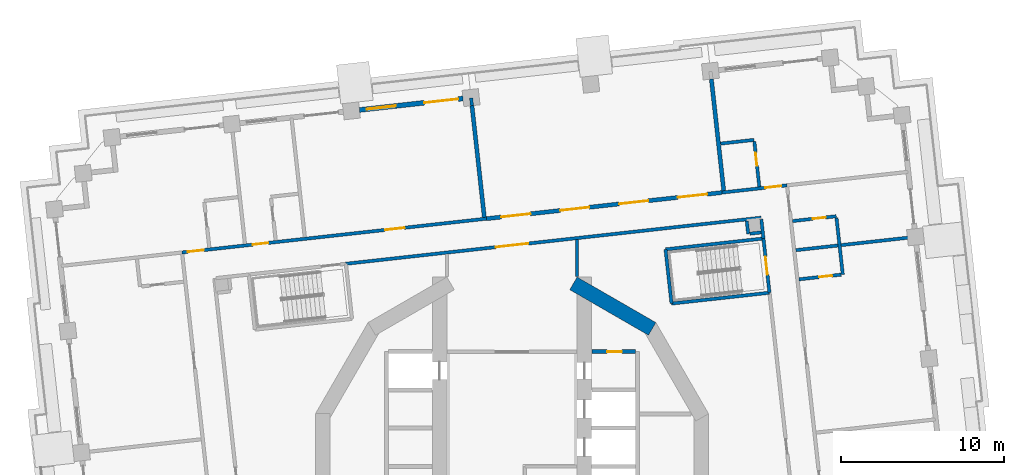
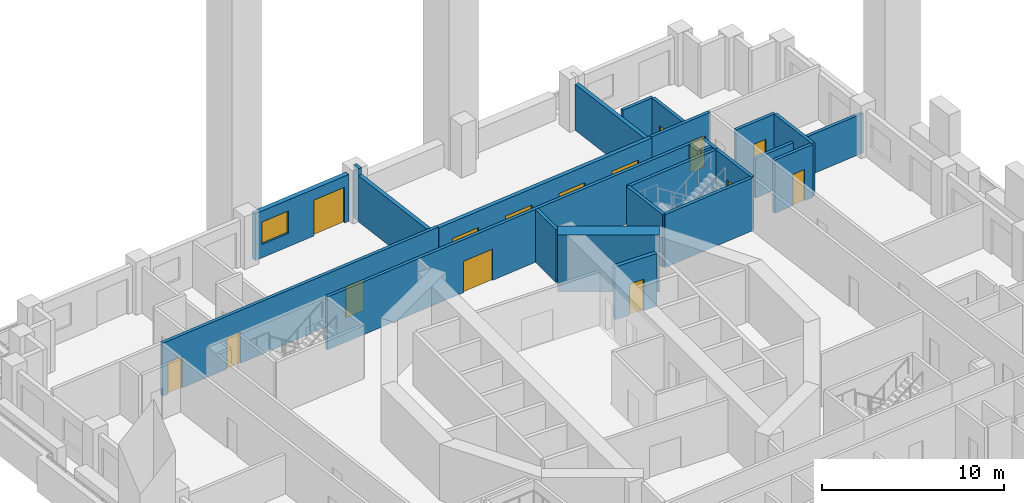
# One storey, part 8 of 20: 24 walls, 15 doors, 1 window, 16 openings.
"""IFC4 building model written with IfcOpenShell, lengths in metres."""

from ifc_helpers import new_model, si_unit, direction, frame, frame_2d, origin, place, context, subcontext, project, spatial, rectangle, extrude, material, layer, layer_set, type_object, element, fill, save


model = new_model("IFC4")

# Units and contexts
model_context = context("Model", 3, precision=1e-05, world=origin(), true_north=direction((0.0, 1.0)))
body_context = subcontext(model_context, "Body", "Model", "MODEL_VIEW")
ifc_project = project(units=[si_unit("LENGTHUNIT", "METRE"), si_unit("AREAUNIT", "SQUARE_METRE"), si_unit("VOLUMEUNIT", "CUBIC_METRE"), si_unit("PLANEANGLEUNIT", "RADIAN"), si_unit("MASSUNIT", "GRAM", prefix="KILO")], contexts=[model_context])

# Site, building, storey
site_placement = place(None, origin())
site = spatial("IfcSite", under=ifc_project, at=site_placement, CompositionType="ELEMENT")
building_placement = place(site_placement, origin())
building = spatial("IfcBuilding", under=site, at=building_placement, Name="Cantera Rosa Tower", CompositionType="ELEMENT")
storey_placement = place(building_placement, frame((0.0, 0.0, 42.5)))
storey = spatial("IfcBuildingStorey", under=building, at=storey_placement, Name="L07", CompositionType="ELEMENT", Elevation=42.5)

# Wall
ifc_material_1 = material(Name="Gypsum board partition")
ifc_layer_1 = layer(ifc_material_1, 0.199951171875)
ifc_layer_set_1 = layer_set([ifc_layer_1], Name="CORRIDOR WALL 200 H3550")
wall_type_1 = type_object("IfcWallType", Name="CORRIDOR WALL 200 H3550", PredefinedType="PARTITIONING", material=ifc_layer_set_1)
wall_1_placement = place(storey_placement, frame((4.0, 11.667236328125, 0.0), z_axis=(0.0, 0.0, 1.0), x_axis=(0.0, 1.0, 0.0)))
element("IfcWall", 1, at=wall_1_placement, inside=storey, type_object=wall_type_1, Name="CORRIDOR WALL L07-064", PredefinedType="PARTITIONING", context=body_context, shape_type="SweptSolid", body=[
    extrude(rectangle(XDim=2.259765625, YDim=0.199951171875, at=frame_2d((1.1298828125, 0.0))), origin(), (0.0, 0.0, 1.0), 3.550048828125),
])

# Wall, opening, door
wall_2_placement = place(storey_placement, frame((15.3076171875, 15.281982421875, 0.0), z_axis=(0.0, 0.0, 1.0), x_axis=(-0.993896137152, -0.110319846599, 0.0)))
wall_2 = element("IfcWall", 2, at=wall_2_placement, inside=storey, type_object=wall_type_1, Name="CORRIDOR WALL L07-087", PredefinedType="PARTITIONING", context=body_context, shape_type="SweptSolid", body=[
    extrude(rectangle(XDim=25.67333984375, YDim=0.199951171875, at=frame_2d((12.836669921875, 0.0))), origin(), (0.0, 0.0, 1.0), 3.550048828125),
])
opening_1_placement = place(wall_2_placement, frame((14.401611328125, 0.0, 0.0)))
opening_1 = element("IfcOpeningElement", 3, at=opening_1_placement, cuts=wall_2, Name="Opening L07-010", PredefinedType="OPENING", context=body_context, shape_type="SweptSolid", body=[
    extrude(rectangle(XDim=2.0, YDim=2.10009765625, at=frame_2d((1.0, 1.050048828125))), frame((0.0, 0.10986328125, 0.0), z_axis=(0.0, -1.0, 0.0), x_axis=(1.0, 0.0, 0.0)), (0.0, 0.0, 1.0), 0.219970703125),
])
ifc_material_2 = material(Name="Steel S355J2 (EN 10025-2)", Category="steel")
door_type_1 = type_object("IfcDoorType", Name="LOBBY SCREEN DOOR 2000x2100", OperationType="NOTDEFINED", PredefinedType="DOOR", material=ifc_material_2)
door_1_placement = place(opening_1_placement, origin())
door_1 = element("IfcDoor", 4, at=door_1_placement, inside=storey, type_object=door_type_1, Name="DOOR L07-010", OperationType="NOTDEFINED", OverallHeight=2.10009765625, OverallWidth=2.0, PredefinedType="DOOR", context=body_context, shape_type="SweptSolid", body=[
    extrude(rectangle(XDim=2.0, YDim=2.10009765625, at=frame_2d((1.0, 1.050048828125))), frame((0.0, 0.02490234375, 0.0), z_axis=(0.0, -1.0, 0.0), x_axis=(1.0, 0.0, 0.0)), (0.0, 0.0, 1.0), 0.050048828125),
])
fill(opening_1, door_1)

# Wall
wall_3_placement = place(storey_placement, frame((15.44970703125, 14.001708984375, 0.0), z_axis=(0.0, 0.0, 1.0), x_axis=(-0.110341316069, 0.993893753863, 0.0)))
element("IfcWall", 5, at=wall_3_placement, inside=storey, type_object=wall_type_1, Name="CORRIDOR WALL L07-091", PredefinedType="PARTITIONING", context=body_context, shape_type="SweptSolid", body=[
    extrude(rectangle(XDim=1.188232421875, YDim=0.199951171875, at=frame_2d((0.59423828125, 0.0))), origin(), (0.0, 0.0, 1.0), 3.550048828125),
])

# Wall, opening, door
wall_4_placement = place(storey_placement, frame((16.898193359375, 17.26953125, 0.0), z_axis=(0.0, 0.0, 1.0), x_axis=(-0.993894825106, -0.110331666476, 0.0)))
wall_4 = element("IfcWall", 6, at=wall_4_placement, inside=storey, type_object=wall_type_1, Name="CORRIDOR WALL L07-095", PredefinedType="PARTITIONING", context=body_context, shape_type="SweptSolid", body=[
    extrude(rectangle(XDim=4.025146484375, YDim=0.199951171875, at=frame_2d((2.0126953125, 0.0))), origin(), (0.0, 0.0, 1.0), 3.550048828125),
])
opening_2_placement = place(wall_4_placement, frame((0.35009765625, 0.0, 0.0)))
opening_2 = element("IfcOpeningElement", 7, at=opening_2_placement, cuts=wall_4, Name="Opening L07-028", PredefinedType="OPENING", context=body_context, shape_type="SweptSolid", body=[
    extrude(rectangle(XDim=1.0, YDim=2.10009765625, at=frame_2d((0.5, 1.050048828125))), frame((0.0, 0.10986328125, 0.0), z_axis=(0.0, -1.0, 0.0), x_axis=(1.0, 0.0, 0.0)), (0.0, 0.0, 1.0), 0.219970703125),
])
ifc_material_3 = material(Name="Timber door leaf", Category="wood")
door_type_2 = type_object("IfcDoorType", Name="ENTRANCE DOOR 1000x2100", OperationType="NOTDEFINED", PredefinedType="DOOR", material=ifc_material_3)
door_2_placement = place(opening_2_placement, origin())
door_2 = element("IfcDoor", 8, at=door_2_placement, inside=storey, type_object=door_type_2, Name="DOOR L07-028", OperationType="NOTDEFINED", OverallHeight=2.10009765625, OverallWidth=1.0, PredefinedType="DOOR", context=body_context, shape_type="SweptSolid", body=[
    extrude(rectangle(XDim=1.0, YDim=2.10009765625, at=frame_2d((0.5, 1.050048828125))), frame((0.0, 0.02490234375, 0.0), z_axis=(0.0, -1.0, 0.0), x_axis=(1.0, 0.0, 0.0)), (0.0, 0.0, 1.0), 0.050048828125),
])
fill(opening_2, door_2)

# Wall, openings, doors
wall_5_placement = place(storey_placement, frame((-1.5634765625, 15.220458984375, 0.0), z_axis=(0.0, 0.0, 1.0), x_axis=(-0.993896854699, -0.110313381866, 0.0)))
wall_5 = element("IfcWall", 9, at=wall_5_placement, inside=storey, type_object=wall_type_1, Name="CORRIDOR WALL L07-096", PredefinedType="PARTITIONING", context=body_context, shape_type="SweptSolid", body=[
    extrude(rectangle(XDim=18.8251953125, YDim=0.199951171875, at=frame_2d((9.41259765625, 0.0))), origin(), (0.0, 0.0, 1.0), 3.550048828125),
])
opening_3_placement = place(wall_5_placement, frame((5.074951171875, 0.0, 0.0)))
opening_3 = element("IfcOpeningElement", 10, at=opening_3_placement, cuts=wall_5, Name="Opening L07-025", PredefinedType="OPENING", context=body_context, shape_type="SweptSolid", body=[
    extrude(rectangle(XDim=1.199951171875, YDim=2.10009765625, at=frame_2d((0.60009765625, 1.050048828125))), frame((0.0, 0.10986328125, 0.0), z_axis=(0.0, -1.0, 0.0), x_axis=(1.0, 0.0, 0.0)), (0.0, 0.0, 1.0), 0.219970703125),
])
opening_4_placement = place(wall_5_placement, frame((13.5, 0.0, 0.0)))
opening_4 = element("IfcOpeningElement", 11, at=opening_4_placement, cuts=wall_5, Name="Opening L07-026", PredefinedType="OPENING", context=body_context, shape_type="SweptSolid", body=[
    extrude(rectangle(XDim=0.949951171875, YDim=2.10009765625, at=frame_2d((0.47509765625, 1.050048828125))), frame((0.0, 0.10986328125, 0.0), z_axis=(0.0, -1.0, 0.0), x_axis=(1.0, 0.0, 0.0)), (0.0, 0.0, 1.0), 0.219970703125),
])
opening_5_placement = place(wall_5_placement, frame((17.47509765625, 0.0, 0.0)))
opening_5 = element("IfcOpeningElement", 12, at=opening_5_placement, cuts=wall_5, Name="Opening L07-030", PredefinedType="OPENING", context=body_context, shape_type="SweptSolid", body=[
    extrude(rectangle(XDim=1.0, YDim=2.10009765625, at=frame_2d((0.5, 1.050048828125))), frame((0.0, 0.10986328125, 0.0), z_axis=(0.0, -1.0, 0.0), x_axis=(1.0, 0.0, 0.0)), (0.0, 0.0, 1.0), 0.219970703125),
])
door_3_placement = place(opening_5_placement, origin())
door_3 = element("IfcDoor", 13, at=door_3_placement, inside=storey, type_object=door_type_2, Name="DOOR L07-030", OperationType="NOTDEFINED", OverallHeight=2.10009765625, OverallWidth=1.0, PredefinedType="DOOR", context=body_context, shape_type="SweptSolid", body=[
    extrude(rectangle(XDim=1.0, YDim=2.10009765625, at=frame_2d((0.5, 1.050048828125))), frame((0.0, 0.02490234375, 0.0), z_axis=(0.0, -1.0, 0.0), x_axis=(1.0, 0.0, 0.0)), (0.0, 0.0, 1.0), 0.050048828125),
])
fill(opening_5, door_3)
ifc_material_4 = material(Name="Timber door leaf", Category="wood")
door_type_3 = type_object("IfcDoorType", Name="ROOM DOOR 1200x2100", OperationType="NOTDEFINED", PredefinedType="DOOR", material=ifc_material_4)
door_4_placement = place(opening_3_placement, origin())
door_4 = element("IfcDoor", 14, at=door_4_placement, inside=storey, type_object=door_type_3, Name="DOOR L07-025", OperationType="NOTDEFINED", OverallHeight=2.10009765625, OverallWidth=1.199951171875, PredefinedType="DOOR", context=body_context, shape_type="SweptSolid", body=[
    extrude(rectangle(XDim=1.199951171875, YDim=2.10009765625, at=frame_2d((0.60009765625, 1.050048828125))), frame((0.0, 0.02490234375, 0.0), z_axis=(0.0, -1.0, 0.0), x_axis=(1.0, 0.0, 0.0)), (0.0, 0.0, 1.0), 0.050048828125),
])
fill(opening_3, door_4)
ifc_material_5 = material(Name="Timber door leaf", Category="wood")
door_type_4 = type_object("IfcDoorType", Name="ROOM DOOR 950x2100", OperationType="NOTDEFINED", PredefinedType="DOOR", material=ifc_material_5)
door_5_placement = place(opening_4_placement, origin())
door_5 = element("IfcDoor", 15, at=door_5_placement, inside=storey, type_object=door_type_4, Name="DOOR L07-026", OperationType="NOTDEFINED", OverallHeight=2.10009765625, OverallWidth=0.949951171875, PredefinedType="DOOR", context=body_context, shape_type="SweptSolid", body=[
    extrude(rectangle(XDim=0.949951171875, YDim=2.10009765625, at=frame_2d((0.47509765625, 1.050048828125))), frame((0.0, 0.02490234375, 0.0), z_axis=(0.0, -1.0, 0.0), x_axis=(1.0, 0.0, 0.0)), (0.0, 0.0, 1.0), 0.050048828125),
])
fill(opening_4, door_5)

# Wall, openings, window, door
ifc_material_6 = material(Name="Hollow clay masonry with cantera stone cladding", Category="masonry")
ifc_layer_2 = layer(ifc_material_6, 0.300048828125)
ifc_layer_set_2 = layer_set([ifc_layer_2], Name="EW-LOGGIA 300 H3140")
wall_type_2 = type_object("IfcWallType", Name="EW-LOGGIA 300 H3140", PredefinedType="SOLIDWALL", material=ifc_layer_set_2)
wall_6_placement = place(storey_placement, frame((-3.011962890625, 22.605712890625, 0.0), z_axis=(0.0, 0.0, 1.0), x_axis=(-0.993896288542, -0.110318482689, 0.0)))
wall_6 = element("IfcWall", 16, at=wall_6_placement, inside=storey, type_object=wall_type_2, Name="EN-L07-W11", PredefinedType="SOLIDWALL", context=body_context, shape_type="SweptSolid", body=[
    extrude(rectangle(XDim=6.400146484375, YDim=0.300048828125, at=frame_2d((3.2001953125, 0.0))), origin(), (0.0, 0.0, 1.0), 3.139892578125),
])
opening_6_placement = place(wall_6_placement, frame((0.300048828125, 0.0, 0.0)))
opening_6 = element("IfcOpeningElement", 17, at=opening_6_placement, cuts=wall_6, Name="Opening L07-TD13", PredefinedType="OPENING", context=body_context, shape_type="SweptSolid", body=[
    extrude(rectangle(XDim=2.10009765625, YDim=2.39990234375, at=frame_2d((1.050048828125, 1.199951171875))), frame((0.0, 0.159912109375, 0.0), z_axis=(0.0, -1.0, 0.0), x_axis=(1.0, 0.0, 0.0)), (0.0, 0.0, 1.0), 0.320068359375),
])
opening_7_placement = place(wall_6_placement, frame((4.14990234375, 0.0, 0.89990234375)))
opening_7 = element("IfcOpeningElement", 18, at=opening_7_placement, cuts=wall_6, Name="Opening L07-W14", PredefinedType="OPENING", context=body_context, shape_type="SweptSolid", body=[
    extrude(rectangle(XDim=1.800048828125, YDim=1.5, at=frame_2d((0.89990234375, 0.75))), frame((0.0, 0.159912109375, 0.0), z_axis=(0.0, -1.0, 0.0), x_axis=(1.0, 0.0, 0.0)), (0.0, 0.0, 1.0), 0.320068359375),
])
ifc_material_7 = material(Name="Aluminium frame with clear glass", Category="aluminium")
window_type = type_object("IfcWindowType", Name="Hotel room window 1800x1500", PartitioningType="DOUBLE_PANEL_VERTICAL", PredefinedType="WINDOW", material=ifc_material_7)
window_placement = place(opening_7_placement, origin())
window = element("IfcWindow", 19, at=window_placement, inside=storey, type_object=window_type, Name="WINDOW L07-W14", OverallHeight=1.5, OverallWidth=1.800048828125, PartitioningType="SINGLE_PANEL", PredefinedType="WINDOW", context=body_context, shape_type="SweptSolid", body=[
    extrude(rectangle(XDim=1.800048828125, YDim=1.5, at=frame_2d((0.89990234375, 0.75))), frame((0.0, 0.030029296875, 0.0), z_axis=(0.0, -1.0, 0.0), x_axis=(1.0, 0.0, 0.0)), (0.0, 0.0, 1.0), 0.06005859375),
])
fill(opening_7, window)
ifc_material_8 = material(Name="Aluminium frame with clear glass", Category="aluminium")
door_type_5 = type_object("IfcDoorType", Name="TD-H 2100x2400", OperationType="NOTDEFINED", PredefinedType="DOOR", material=ifc_material_8)
door_6_placement = place(opening_6_placement, origin())
door_6 = element("IfcDoor", 20, at=door_6_placement, inside=storey, type_object=door_type_5, Name="LOGGIA DOOR L07-TD13", OperationType="SLIDING_TO_LEFT", OverallHeight=2.39990234375, OverallWidth=2.10009765625, PredefinedType="DOOR", context=body_context, shape_type="SweptSolid", body=[
    extrude(rectangle(XDim=2.10009765625, YDim=2.39990234375, at=frame_2d((1.050048828125, 1.199951171875))), frame((0.0, 0.02490234375, 0.0), z_axis=(0.0, -1.0, 0.0), x_axis=(1.0, 0.0, 0.0)), (0.0, 0.0, 1.0), 0.050048828125),
])
fill(opening_6, door_6)

# Walls
ifc_material_9 = material(Name="Concrete C40/50", Category="concrete")
ifc_layer_3 = layer(ifc_material_9, 0.25)
ifc_layer_set_3 = layer_set([ifc_layer_3], Name="EW-POCKET CHEEK 250 H3090")
wall_type_3 = type_object("IfcWallType", Name="EW-POCKET CHEEK 250 H3090", PredefinedType="SOLIDWALL", material=ifc_layer_set_3)
wall_7_placement = place(storey_placement, frame((12.249755859375, 23.796630859375, 0.0), z_axis=(0.0, 0.0, 1.0), x_axis=(0.11028783669, -0.993899689646, 0.0)))
element("IfcWall", 21, at=wall_7_placement, inside=storey, type_object=wall_type_3, Name="POCKET CHEEK A L07", PredefinedType="SOLIDWALL", context=body_context, shape_type="SweptSolid", body=[
    extrude(rectangle(XDim=6.89990234375, YDim=0.25, at=frame_2d((3.449951171875, 0.0))), origin(), (0.0, 0.0, 1.0), 3.090087890625),
])
wall_8_placement = place(storey_placement, frame((-2.4599609375, 22.163818359375, 0.0), z_axis=(0.0, 0.0, 1.0), x_axis=(0.110322788799, -0.993895810572, 0.0)))
element("IfcWall", 22, at=wall_8_placement, inside=storey, type_object=wall_type_3, Name="POCKET CHEEK B L07", PredefinedType="SOLIDWALL", context=body_context, shape_type="SweptSolid", body=[
    extrude(rectangle(XDim=6.900146484375, YDim=0.25, at=frame_2d((3.4501953125, 0.0))), origin(), (0.0, 0.0, 1.0), 3.090087890625),
])

# Wall, openings, doors
ifc_material_10 = material(Name="Hollow clay masonry with cantera stone cladding", Category="masonry")
ifc_layer_4 = layer(ifc_material_10, 0.25)
ifc_layer_set_4 = layer_set([ifc_layer_4], Name="EW-POCKET REAR 250")
wall_type_4 = type_object("IfcWallType", Name="EW-POCKET REAR 250", PredefinedType="SOLIDWALL", material=ifc_layer_set_4)
wall_9_placement = place(storey_placement, frame((12.897705078125, 16.825439453125, 0.0), z_axis=(0.0, 0.0, 1.0), x_axis=(-0.993897437056, -0.110308134844, 0.0)))
wall_9 = element("IfcWall", 23, at=wall_9_placement, inside=storey, type_object=wall_type_4, Name="POCKET REAR L07", PredefinedType="SOLIDWALL", context=body_context, shape_type="SweptSolid", body=[
    extrude(rectangle(XDim=14.550048828125, YDim=0.25, at=frame_2d((7.27490234375, 0.0))), origin(), (0.0, 0.0, 1.0), 3.5),
])
opening_8_placement = place(wall_9_placement, frame((0.918701171875, 0.0, 0.0)))
opening_8 = element("IfcOpeningElement", 24, at=opening_8_placement, cuts=wall_9, Name="Opening L07-LT01", PredefinedType="OPENING", context=body_context, shape_type="SweptSolid", body=[
    extrude(rectangle(XDim=1.800048828125, YDim=2.39990234375, at=frame_2d((0.89990234375, 1.199951171875))), frame((0.0, 0.135009765625, 0.0), z_axis=(0.0, -1.0, 0.0), x_axis=(1.0, 0.0, 0.0)), (0.0, 0.0, 1.0), 0.27001953125),
])
opening_9_placement = place(wall_9_placement, frame((4.55615234375, 0.0, 0.0)))
opening_9 = element("IfcOpeningElement", 25, at=opening_9_placement, cuts=wall_9, Name="Opening L07-LT02", PredefinedType="OPENING", context=body_context, shape_type="SweptSolid", body=[
    extrude(rectangle(XDim=1.800048828125, YDim=2.39990234375, at=frame_2d((0.89990234375, 1.199951171875))), frame((0.0, 0.135009765625, 0.0), z_axis=(0.0, -1.0, 0.0), x_axis=(1.0, 0.0, 0.0)), (0.0, 0.0, 1.0), 0.27001953125),
])
opening_10_placement = place(wall_9_placement, frame((8.19384765625, 0.0, 0.0)))
opening_10 = element("IfcOpeningElement", 26, at=opening_10_placement, cuts=wall_9, Name="Opening L07-LT03", PredefinedType="OPENING", context=body_context, shape_type="SweptSolid", body=[
    extrude(rectangle(XDim=1.800048828125, YDim=2.39990234375, at=frame_2d((0.89990234375, 1.199951171875))), frame((0.0, 0.135009765625, 0.0), z_axis=(0.0, -1.0, 0.0), x_axis=(1.0, 0.0, 0.0)), (0.0, 0.0, 1.0), 0.27001953125),
])
opening_11_placement = place(wall_9_placement, frame((11.831298828125, 0.0, 0.0)))
opening_11 = element("IfcOpeningElement", 27, at=opening_11_placement, cuts=wall_9, Name="Opening L07-LT04", PredefinedType="OPENING", context=body_context, shape_type="SweptSolid", body=[
    extrude(rectangle(XDim=1.800048828125, YDim=2.39990234375, at=frame_2d((0.89990234375, 1.199951171875))), frame((0.0, 0.135009765625, 0.0), z_axis=(0.0, -1.0, 0.0), x_axis=(1.0, 0.0, 0.0)), (0.0, 0.0, 1.0), 0.27001953125),
])
ifc_material_11 = material(Name="Aluminium frame with clear glass", Category="aluminium")
door_type_6 = type_object("IfcDoorType", Name="TD-T 1800x2400", OperationType="NOTDEFINED", PredefinedType="DOOR", material=ifc_material_11)
door_7_placement = place(opening_8_placement, origin())
door_7 = element("IfcDoor", 28, at=door_7_placement, inside=storey, type_object=door_type_6, Name="TERRACE DOOR L07-LT01", OperationType="DOUBLE_DOOR_SINGLE_SWING", OverallHeight=2.39990234375, OverallWidth=1.800048828125, PredefinedType="DOOR", context=body_context, shape_type="SweptSolid", body=[
    extrude(rectangle(XDim=1.800048828125, YDim=2.39990234375, at=frame_2d((0.89990234375, 1.199951171875))), frame((0.0, 0.02490234375, 0.0), z_axis=(0.0, -1.0, 0.0), x_axis=(1.0, 0.0, 0.0)), (0.0, 0.0, 1.0), 0.050048828125),
])
fill(opening_8, door_7)
door_8_placement = place(opening_9_placement, origin())
door_8 = element("IfcDoor", 29, at=door_8_placement, inside=storey, type_object=door_type_6, Name="TERRACE DOOR L07-LT02", OperationType="DOUBLE_DOOR_SINGLE_SWING", OverallHeight=2.39990234375, OverallWidth=1.800048828125, PredefinedType="DOOR", context=body_context, shape_type="SweptSolid", body=[
    extrude(rectangle(XDim=1.800048828125, YDim=2.39990234375, at=frame_2d((0.89990234375, 1.199951171875))), frame((0.0, 0.02490234375, 0.0), z_axis=(0.0, -1.0, 0.0), x_axis=(1.0, 0.0, 0.0)), (0.0, 0.0, 1.0), 0.050048828125),
])
fill(opening_9, door_8)
door_9_placement = place(opening_10_placement, origin())
door_9 = element("IfcDoor", 30, at=door_9_placement, inside=storey, type_object=door_type_6, Name="TERRACE DOOR L07-LT03", OperationType="DOUBLE_DOOR_SINGLE_SWING", OverallHeight=2.39990234375, OverallWidth=1.800048828125, PredefinedType="DOOR", context=body_context, shape_type="SweptSolid", body=[
    extrude(rectangle(XDim=1.800048828125, YDim=2.39990234375, at=frame_2d((0.89990234375, 1.199951171875))), frame((0.0, 0.02490234375, 0.0), z_axis=(0.0, -1.0, 0.0), x_axis=(1.0, 0.0, 0.0)), (0.0, 0.0, 1.0), 0.050048828125),
])
fill(opening_10, door_9)
door_10_placement = place(opening_11_placement, origin())
door_10 = element("IfcDoor", 31, at=door_10_placement, inside=storey, type_object=door_type_6, Name="TERRACE DOOR L07-LT04", OperationType="DOUBLE_DOOR_SINGLE_SWING", OverallHeight=2.39990234375, OverallWidth=1.800048828125, PredefinedType="DOOR", context=body_context, shape_type="SweptSolid", body=[
    extrude(rectangle(XDim=1.800048828125, YDim=2.39990234375, at=frame_2d((0.89990234375, 1.199951171875))), frame((0.0, 0.02490234375, 0.0), z_axis=(0.0, -1.0, 0.0), x_axis=(1.0, 0.0, 0.0)), (0.0, 0.0, 1.0), 0.050048828125),
])
fill(opening_11, door_10)

# Walls
ifc_material_12 = material(Name="Gypsum board partition")
ifc_layer_5 = layer(ifc_material_12, 0.199951171875)
ifc_layer_set_5 = layer_set([ifc_layer_5], Name="PARTITION 200 H3550")
wall_type_5 = type_object("IfcWallType", Name="PARTITION 200 H3550", PredefinedType="PARTITIONING", material=ifc_layer_set_5)
wall_10_placement = place(storey_placement, frame((-2.51171875, 22.631103515625, 0.0), z_axis=(0.0, 0.0, 1.0), x_axis=(0.110089547864, -0.993921672694, 0.0)))
element("IfcWall", 32, at=wall_10_placement, inside=storey, type_object=wall_type_5, Name="PARTITION L07-055", PredefinedType="PARTITIONING", context=body_context, shape_type="SweptSolid", body=[
    extrude(rectangle(XDim=0.47021484375, YDim=0.199951171875, at=frame_2d((0.235107421875, 0.0))), origin(), (0.0, 0.0, 1.0), 3.550048828125),
])
wall_11_placement = place(storey_placement, frame((12.8251953125, 19.835693359375, 0.0), z_axis=(0.0, 0.0, 1.0), x_axis=(0.993883734674, 0.110431526075, 0.0)))
element("IfcWall", 33, at=wall_11_placement, inside=storey, type_object=wall_type_5, Name="PARTITION L07-080", PredefinedType="PARTITIONING", context=body_context, shape_type="SweptSolid", body=[
    extrude(rectangle(XDim=2.06494140625, YDim=0.199951171875, at=frame_2d((1.032470703125, 0.0))), origin(), (0.0, 0.0, 1.0), 3.550048828125),
])
wall_12_placement = place(storey_placement, frame((14.42431640625, 15.083251953125, 0.0), z_axis=(0.0, 0.0, 1.0), x_axis=(0.110163574714, -0.993913470482, 0.0)))
element("IfcWall", 34, at=wall_12_placement, inside=storey, type_object=wall_type_5, Name="PARTITION L07-082", PredefinedType="PARTITIONING", context=body_context, shape_type="SweptSolid", body=[
    extrude(rectangle(XDim=0.800048828125, YDim=0.199951171875, at=frame_2d((0.39990234375, 0.0))), origin(), (0.0, 0.0, 1.0), 3.550048828125),
])
wall_13_placement = place(storey_placement, frame((14.61181640625, 14.299072265625, 0.0), z_axis=(0.0, 0.0, 1.0), x_axis=(0.993870969748, 0.110546349969, 0.0)))
element("IfcWall", 35, at=wall_13_placement, inside=storey, type_object=wall_type_5, Name="PARTITION L07-083", PredefinedType="PARTITIONING", context=body_context, shape_type="SweptSolid", body=[
    extrude(rectangle(XDim=0.7001953125, YDim=0.199951171875, at=frame_2d((0.35009765625, 0.0))), origin(), (0.0, 0.0, 1.0), 3.550048828125),
])

# Wall, opening, door
wall_14_placement = place(storey_placement, frame((14.888671875, 19.964111328125, 0.0), z_axis=(0.0, 0.0, 1.0), x_axis=(0.110307106705, -0.993897551164, 0.0)))
wall_14 = element("IfcWall", 36, at=wall_14_placement, inside=storey, type_object=wall_type_5, Name="PARTITION L07-084", PredefinedType="PARTITIONING", context=body_context, shape_type="SweptSolid", body=[
    extrude(rectangle(XDim=2.7998046875, YDim=0.199951171875, at=frame_2d((1.39990234375, 0.0))), origin(), (0.0, 0.0, 1.0), 3.550048828125),
])
opening_12_placement = place(wall_14_placement, frame((0.699951171875, 0.0, 0.0)))
opening_12 = element("IfcOpeningElement", 37, at=opening_12_placement, cuts=wall_14, Name="Opening L07-029", PredefinedType="OPENING", context=body_context, shape_type="SweptSolid", body=[
    extrude(rectangle(XDim=0.800048828125, YDim=2.10009765625, at=frame_2d((0.39990234375, 1.050048828125))), frame((0.0, 0.10986328125, 0.0), z_axis=(0.0, -1.0, 0.0), x_axis=(1.0, 0.0, 0.0)), (0.0, 0.0, 1.0), 0.219970703125),
])
ifc_material_13 = material(Name="Timber door leaf", Category="wood")
door_type_7 = type_object("IfcDoorType", Name="BATHROOM DOOR 800x2100", OperationType="NOTDEFINED", PredefinedType="DOOR", material=ifc_material_13)
door_11_placement = place(opening_12_placement, origin())
door_11 = element("IfcDoor", 38, at=door_11_placement, inside=storey, type_object=door_type_7, Name="DOOR L07-029", OperationType="NOTDEFINED", OverallHeight=2.10009765625, OverallWidth=0.800048828125, PredefinedType="DOOR", context=body_context, shape_type="SweptSolid", body=[
    extrude(rectangle(XDim=0.800048828125, YDim=2.10009765625, at=frame_2d((0.39990234375, 1.050048828125))), frame((0.0, 0.02490234375, 0.0), z_axis=(0.0, -1.0, 0.0), x_axis=(1.0, 0.0, 0.0)), (0.0, 0.0, 1.0), 0.050048828125),
])
fill(opening_12, door_11)

wall_15_placement = place(storey_placement, frame((17.242431640625, 15.073974609375, 0.0), z_axis=(0.0, 0.0, 1.0), x_axis=(0.993895859284, 0.110322349952, 0.0)))
wall_15 = element("IfcWall", 39, at=wall_15_placement, inside=storey, type_object=wall_type_5, Name="PARTITION L07-098", PredefinedType="PARTITIONING", context=body_context, shape_type="SweptSolid", body=[
    extrude(rectangle(XDim=2.699951171875, YDim=0.199951171875, at=frame_2d((1.35009765625, 0.0))), origin(), (0.0, 0.0, 1.0), 3.550048828125),
])
opening_13_placement = place(wall_15_placement, frame((1.236083984375, 0.0, 0.0)))
opening_13 = element("IfcOpeningElement", 40, at=opening_13_placement, cuts=wall_15, Name="Opening L07-024", PredefinedType="OPENING", context=body_context, shape_type="SweptSolid", body=[
    extrude(rectangle(XDim=0.800048828125, YDim=2.10009765625, at=frame_2d((0.39990234375, 1.050048828125))), frame((0.0, 0.10986328125, 0.0), z_axis=(0.0, -1.0, 0.0), x_axis=(1.0, 0.0, 0.0)), (0.0, 0.0, 1.0), 0.219970703125),
])
door_12_placement = place(opening_13_placement, origin())
door_12 = element("IfcDoor", 41, at=door_12_placement, inside=storey, type_object=door_type_7, Name="DOOR L07-024", OperationType="NOTDEFINED", OverallHeight=2.10009765625, OverallWidth=0.800048828125, PredefinedType="DOOR", context=body_context, shape_type="SweptSolid", body=[
    extrude(rectangle(XDim=0.800048828125, YDim=2.10009765625, at=frame_2d((0.39990234375, 1.050048828125))), frame((0.0, 0.02490234375, 0.0), z_axis=(0.0, -1.0, 0.0), x_axis=(1.0, 0.0, 0.0)), (0.0, 0.0, 1.0), 0.050048828125),
])
fill(opening_13, door_12)

# Wall
wall_16_placement = place(storey_placement, frame((19.93701171875, 15.2724609375, 0.0), z_axis=(0.0, 0.0, 1.0), x_axis=(0.110286055711, -0.99389988727, 0.0)))
element("IfcWall", 42, at=wall_16_placement, inside=storey, type_object=wall_type_5, Name="PARTITION L07-109", PredefinedType="PARTITIONING", context=body_context, shape_type="SweptSolid", body=[
    extrude(rectangle(XDim=3.499755859375, YDim=0.199951171875, at=frame_2d((1.75, 0.0))), origin(), (0.0, 0.0, 1.0), 3.550048828125),
])

# Wall, opening, door
wall_17_placement = place(storey_placement, frame((20.2236328125, 11.78271484375, 0.0), z_axis=(0.0, 0.0, 1.0), x_axis=(-0.993905472132, -0.110235713206, 0.0)))
wall_17 = element("IfcWall", 43, at=wall_17_placement, inside=storey, type_object=wall_type_5, Name="PARTITION L07-111", PredefinedType="PARTITIONING", context=body_context, shape_type="SweptSolid", body=[
    extrude(rectangle(XDim=2.60009765625, YDim=0.199951171875, at=frame_2d((1.300048828125, 0.0))), origin(), (0.0, 0.0, 1.0), 3.550048828125),
])
opening_14_placement = place(wall_17_placement, frame((0.56396484375, 0.0, 0.0)))
opening_14 = element("IfcOpeningElement", 44, at=opening_14_placement, cuts=wall_17, Name="Opening L07-022", PredefinedType="OPENING", context=body_context, shape_type="SweptSolid", body=[
    extrude(rectangle(XDim=0.800048828125, YDim=2.10009765625, at=frame_2d((0.39990234375, 1.050048828125))), frame((0.0, 0.10986328125, 0.0), z_axis=(0.0, -1.0, 0.0), x_axis=(1.0, 0.0, 0.0)), (0.0, 0.0, 1.0), 0.219970703125),
])
door_13_placement = place(opening_14_placement, origin())
door_13 = element("IfcDoor", 45, at=door_13_placement, inside=storey, type_object=door_type_7, Name="DOOR L07-022", OperationType="NOTDEFINED", OverallHeight=2.10009765625, OverallWidth=0.800048828125, PredefinedType="DOOR", context=body_context, shape_type="SweptSolid", body=[
    extrude(rectangle(XDim=0.800048828125, YDim=2.10009765625, at=frame_2d((0.39990234375, 1.050048828125))), frame((0.0, 0.02490234375, 0.0), z_axis=(0.0, -1.0, 0.0), x_axis=(1.0, 0.0, 0.0)), (0.0, 0.0, 1.0), 0.050048828125),
])
fill(opening_14, door_13)

# Walls
ifc_material_14 = material(Name="Gypsum board partition")
ifc_layer_6 = layer(ifc_material_14, 0.199951171875)
ifc_layer_set_6 = layer_set([ifc_layer_6], Name="PARTY WALL 200 H2650")
wall_type_6 = type_object("IfcWallType", Name="PARTY WALL 200 H2650", PredefinedType="PARTITIONING", material=ifc_layer_set_6)
wall_18_placement = place(storey_placement, frame((17.44091796875, 13.284912109375, 0.0), z_axis=(0.0, 0.0, 1.0), x_axis=(0.993897461949, 0.110307910555, 0.0)))
element("IfcWall", 46, at=wall_18_placement, inside=storey, type_object=wall_type_6, Name="PARTY WALL L07-100", PredefinedType="PARTITIONING", context=body_context, shape_type="SweptSolid", body=[
    extrude(rectangle(XDim=7.3701171875, YDim=0.199951171875, at=frame_2d((3.68505859375, 0.0))), origin(), (0.0, 0.0, 1.0), 2.64990234375),
])
ifc_material_15 = material(Name="Concrete C70/85", Category="concrete")
ifc_layer_7 = layer(ifc_material_15, 0.89990234375)
ifc_layer_set_7 = layer_set([ifc_layer_7], Name="RC CORE WALL 900 C70/85")
wall_type_7 = type_object("IfcWallType", Name="RC CORE WALL 900 C70/85", PredefinedType="SHEAR", material=ifc_layer_set_7)
wall_19_placement = place(storey_placement, frame((3.77490234375, 11.242919921875, 0.0), z_axis=(0.0, 0.0, 1.0), x_axis=(0.866026961591, -0.49999730179, 0.0)))
element("IfcWall", 47, at=wall_19_placement, inside=storey, type_object=wall_type_7, Name="CW-E1 L07", PredefinedType="SHEAR", context=body_context, shape_type="SweptSolid", body=[
    extrude(rectangle(XDim=5.58740234375, YDim=0.89990234375, at=frame_2d((2.793701171875, 0.0))), origin(), (0.0, 0.0, 1.0), 3.800048828125),
])

# Wall, opening, door
ifc_material_16 = material(Name="Masonry blockwork", Category="masonry")
ifc_layer_8 = layer(ifc_material_16, 0.25)
ifc_layer_set_8 = layer_set([ifc_layer_8], Name="SHAFT WALL 250 H3550")
wall_type_8 = type_object("IfcWallType", Name="SHAFT WALL 250 H3550", PredefinedType="SOLIDWALL", material=ifc_layer_set_8)
wall_20_placement = place(storey_placement, frame((7.580078125, 7.050048828125, 0.0), z_axis=(0.0, 0.0, 1.0), x_axis=(-1.0, 0.0, 0.0)))
wall_20 = element("IfcWall", 48, at=wall_20_placement, inside=storey, type_object=wall_type_8, Name="SHAFT WALL L07-074", PredefinedType="SOLIDWALL", context=body_context, shape_type="SweptSolid", body=[
    extrude(rectangle(XDim=2.650146484375, YDim=0.25, at=frame_2d((1.3251953125, 0.0))), origin(), (0.0, 0.0, 1.0), 3.550048828125),
])
opening_15_placement = place(wall_20_placement, frame((0.830078125, 0.0, 0.0)))
opening_15 = element("IfcOpeningElement", 49, at=opening_15_placement, cuts=wall_20, Name="Opening L07-051", PredefinedType="OPENING", context=body_context, shape_type="SweptSolid", body=[
    extrude(rectangle(XDim=0.89990234375, YDim=2.10009765625, at=frame_2d((0.449951171875, 1.050048828125))), frame((0.0, 0.135009765625, 0.0), z_axis=(0.0, -1.0, 0.0), x_axis=(1.0, 0.0, 0.0)), (0.0, 0.0, 1.0), 0.27001953125),
])
ifc_material_17 = material(Name="Timber door leaf", Category="wood")
door_type_8 = type_object("IfcDoorType", Name="SERVICE DOOR 900x2100", OperationType="NOTDEFINED", PredefinedType="DOOR", material=ifc_material_17)
door_14_placement = place(opening_15_placement, origin())
door_14 = element("IfcDoor", 50, at=door_14_placement, inside=storey, type_object=door_type_8, Name="RISER DOOR L07-051", OperationType="NOTDEFINED", OverallHeight=2.10009765625, OverallWidth=0.89990234375, PredefinedType="DOOR", context=body_context, shape_type="SweptSolid", body=[
    extrude(rectangle(XDim=0.89990234375, YDim=2.10009765625, at=frame_2d((0.449951171875, 1.050048828125))), frame((0.0, 0.02490234375, 0.0), z_axis=(0.0, -1.0, 0.0), x_axis=(1.0, 0.0, 0.0)), (0.0, 0.0, 1.0), 0.050048828125),
])
fill(opening_15, door_14)

# Walls
ifc_material_18 = material(Name="Concrete C50/60", Category="concrete")
ifc_layer_9 = layer(ifc_material_18, 0.199951171875)
ifc_layer_set_9 = layer_set([ifc_layer_9], Name="STAIR WALL 200 H3550")
wall_type_9 = type_object("IfcWallType", Name="STAIR WALL 200 H3550", PredefinedType="SOLIDWALL", material=ifc_layer_set_9)
wall_21_placement = place(storey_placement, frame((9.43359375, 13.333740234375, 0.0), z_axis=(0.0, 0.0, 1.0), x_axis=(0.11027153821, -0.993901498067, 0.0)))
element("IfcWall", 51, at=wall_21_placement, inside=storey, type_object=wall_type_9, Name="STAIR WALL L07-078", PredefinedType="SOLIDWALL", context=body_context, shape_type="SweptSolid", body=[
    extrude(rectangle(XDim=3.349853515625, YDim=0.199951171875, at=frame_2d((1.6748046875, 0.0))), origin(), (0.0, 0.0, 1.0), 3.550048828125),
])
wall_22_placement = place(storey_placement, frame((9.802978515625, 10.00439453125, 0.0), z_axis=(0.0, 0.0, 1.0), x_axis=(0.993897498792, 0.11030757859, 0.0)))
element("IfcWall", 52, at=wall_22_placement, inside=storey, type_object=wall_type_9, Name="STAIR WALL L07-079", PredefinedType="SOLIDWALL", context=body_context, shape_type="SweptSolid", body=[
    extrude(rectangle(XDim=6.05322265625, YDim=0.199951171875, at=frame_2d((3.026611328125, 0.0))), origin(), (0.0, 0.0, 1.0), 3.550048828125),
])
wall_23_placement = place(storey_placement, frame((15.44970703125, 14.001708984375, 0.0), z_axis=(0.0, 0.0, 1.0), x_axis=(-0.993892585125, -0.110351842907, 0.0)))
element("IfcWall", 53, at=wall_23_placement, inside=storey, type_object=wall_type_9, Name="STAIR WALL L07-090", PredefinedType="SOLIDWALL", context=body_context, shape_type="SweptSolid", body=[
    extrude(rectangle(XDim=6.052978515625, YDim=0.199951171875, at=frame_2d((3.0263671875, 0.0))), origin(), (0.0, 0.0, 1.0), 3.550048828125),
])

# Wall, opening, door
wall_24_placement = place(storey_placement, frame((15.8193359375, 10.672119140625, 0.0), z_axis=(0.0, 0.0, 1.0), x_axis=(-0.110335541424, 0.993894394943, 0.0)))
wall_24 = element("IfcWall", 54, at=wall_24_placement, inside=storey, type_object=wall_type_9, Name="STAIR WALL L07-092", PredefinedType="SOLIDWALL", context=body_context, shape_type="SweptSolid", body=[
    extrude(rectangle(XDim=3.35009765625, YDim=0.199951171875, at=frame_2d((1.675048828125, 0.0))), origin(), (0.0, 0.0, 1.0), 3.550048828125),
])
opening_16_placement = place(wall_24_placement, frame((1.125, 0.0, 0.0)))
opening_16 = element("IfcOpeningElement", 55, at=opening_16_placement, cuts=wall_24, Name="Opening L07-001", PredefinedType="OPENING", context=body_context, shape_type="SweptSolid", body=[
    extrude(rectangle(XDim=1.10009765625, YDim=2.10009765625, at=frame_2d((0.550048828125, 1.050048828125))), frame((0.0, 0.10986328125, 0.0), z_axis=(0.0, -1.0, 0.0), x_axis=(1.0, 0.0, 0.0)), (0.0, 0.0, 1.0), 0.219970703125),
])
ifc_material_19 = material(Name="Steel S355J2 (EN 10025-2)", Category="steel")
door_type_9 = type_object("IfcDoorType", Name="STAIR DOOR 1100x2100", OperationType="NOTDEFINED", PredefinedType="DOOR", material=ifc_material_19)
door_15_placement = place(opening_16_placement, origin())
door_15 = element("IfcDoor", 56, at=door_15_placement, inside=storey, type_object=door_type_9, Name="DOOR L07-001", OperationType="NOTDEFINED", OverallHeight=2.10009765625, OverallWidth=1.10009765625, PredefinedType="DOOR", context=body_context, shape_type="SweptSolid", body=[
    extrude(rectangle(XDim=1.10009765625, YDim=2.10009765625, at=frame_2d((0.550048828125, 1.050048828125))), frame((0.0, 0.02490234375, 0.0), z_axis=(0.0, -1.0, 0.0), x_axis=(1.0, 0.0, 0.0)), (0.0, 0.0, 1.0), 0.050048828125),
])
fill(opening_16, door_15)

save(model, "model.ifc")
